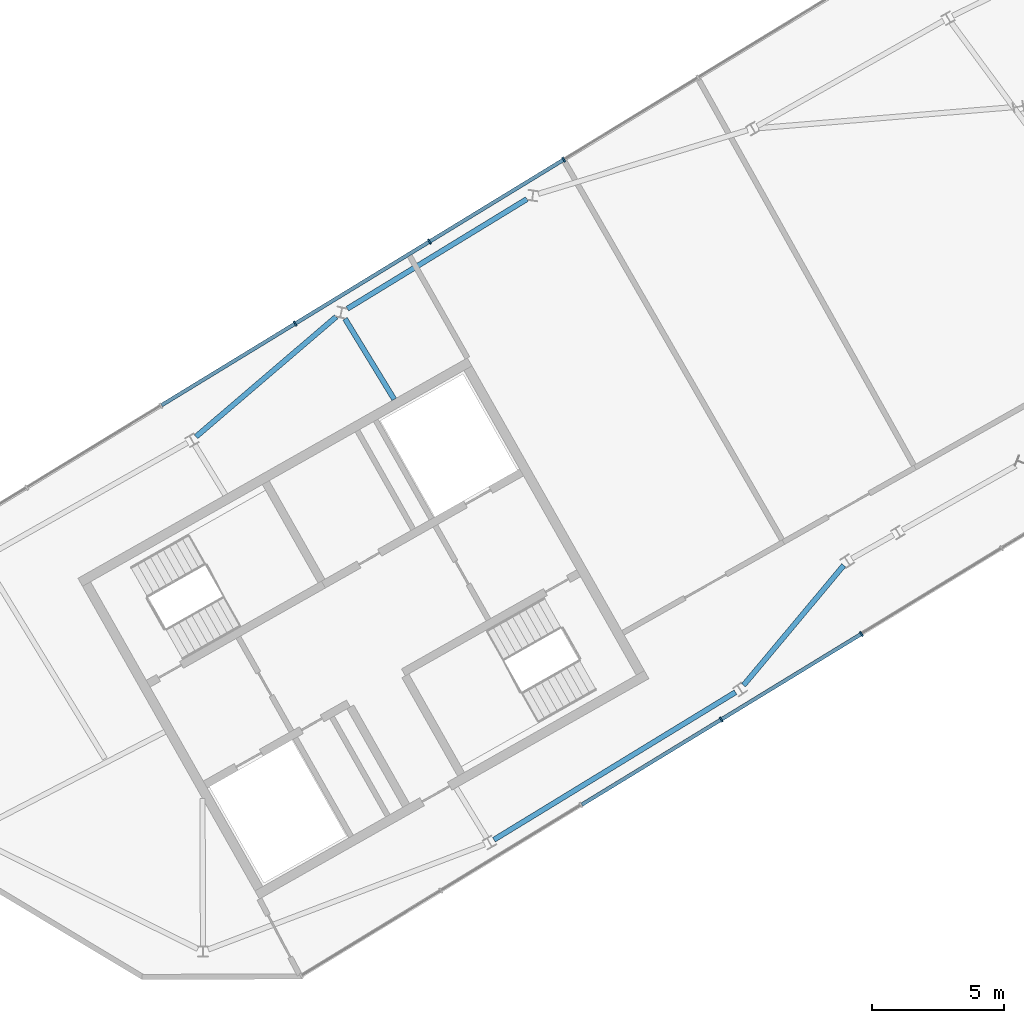
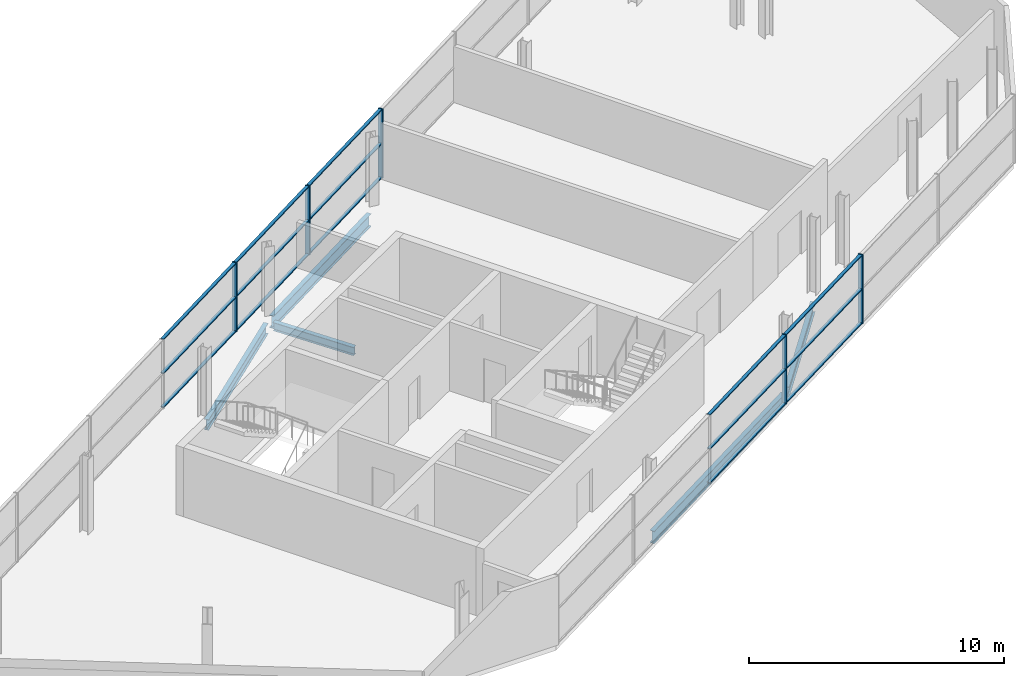
# One storey, part 4 of 8: 20 members, 5 beams, 2 elements without a shape of their own.
"""IFC4 building model written with IfcOpenShell, lengths in metres."""

from ifc_helpers import new_model, si_unit, direction, frame, origin, origin_2d, place, context, subcontext, project, spatial, rectangle, i_section, extrude, material, material_profile, profile_set, type_object, element, aggregate, save


model = new_model("IFC4")

# Units and contexts
model_context = context("Model", 3, precision=1e-05, world=origin(), true_north=direction((0.0, 1.0)))
body_context = subcontext(model_context, "Body", "Model", "MODEL_VIEW")
ifc_project = project(units=[si_unit("LENGTHUNIT", "METRE"), si_unit("AREAUNIT", "SQUARE_METRE"), si_unit("VOLUMEUNIT", "CUBIC_METRE"), si_unit("PLANEANGLEUNIT", "RADIAN"), si_unit("MASSUNIT", "GRAM", prefix="KILO")], contexts=[model_context])

# Site, building, storey
site_placement = place(None, origin())
site = spatial("IfcSite", under=ifc_project, at=site_placement, CompositionType="ELEMENT")
building_placement = place(site_placement, origin())
building = spatial("IfcBuilding", under=site, at=building_placement, Name="Binnacle Exchange Tower", CompositionType="ELEMENT")
storey_placement = place(building_placement, frame((0.0, 0.0, 350.5)))
storey = spatial("IfcBuildingStorey", under=building, at=storey_placement, Name="L80", CompositionType="ELEMENT", Elevation=350.5)

# Curtain wall, members
ifc_material_1 = material(Name="Bronze anodised aluminium frame", Category="aluminium")
curtain_wall_type = type_object("IfcCurtainWallType", Name="External wall - curtain wall crown tiers", PredefinedType="NOTDEFINED", material=ifc_material_1)
curtain_wall_1_placement = place(storey_placement, origin())
curtain_wall_1 = element("IfcCurtainWall", 1, at=curtain_wall_1_placement, inside=storey, type_object=curtain_wall_type, Name="External wall curtain wall CW5-C103 L80", PredefinedType="NOTDEFINED")
ifc_material_profile_1 = material_profile(ifc_material_1, rectangle(XDim=0.199951171875, YDim=0.06005859375, at=origin_2d()), Name="AL 60x200")
ifc_profile_set_1 = profile_set([ifc_material_profile_1], Name="Bronze anodised aluminium frame")
member_type_1 = type_object("IfcMemberType", Name="CW5 MULLION 60x200", PredefinedType="MULLION", material=ifc_profile_set_1)
member_1_placement = place(storey_placement, frame((-28.15478515625, 57.57666015625, 0.0), z_axis=(0.0, 0.0, 1.0), x_axis=(0.521156922554, -0.853460873194, 0.0)))
member_1 = element("IfcMember", 2, at=member_1_placement, type_object=member_type_1, Name="CW5-C103 mullion 5", PredefinedType="MULLION", context=body_context, shape_type="SweptSolid", body=[
    extrude(rectangle(XDim=0.199951171875, YDim=0.06005859375, at=origin_2d()), origin(), (0.0, 0.0, 1.0), 3.300048828125),
])
member_2_placement = place(storey_placement, frame((-33.25634765625, 54.46142578125, 0.0), z_axis=(0.0, 0.0, 1.0), x_axis=(0.521156922554, -0.853460873194, 0.0)))
member_2 = element("IfcMember", 3, at=member_2_placement, type_object=member_type_1, Name="CW5-C103 mullion 6", PredefinedType="MULLION", context=body_context, shape_type="SweptSolid", body=[
    extrude(rectangle(XDim=0.199951171875, YDim=0.06005859375, at=origin_2d()), origin(), (0.0, 0.0, 1.0), 3.300048828125),
])
member_3_placement = place(storey_placement, frame((-38.35791015625, 51.34619140625, 0.0), z_axis=(0.0, 0.0, 1.0), x_axis=(0.521156922554, -0.853460873194, 0.0)))
member_3 = element("IfcMember", 4, at=member_3_placement, type_object=member_type_1, Name="CW5-C103 mullion 7", PredefinedType="MULLION", context=body_context, shape_type="SweptSolid", body=[
    extrude(rectangle(XDim=0.199951171875, YDim=0.06005859375, at=origin_2d()), origin(), (0.0, 0.0, 1.0), 3.300048828125),
])

curtain_wall_2_placement = place(storey_placement, origin())
curtain_wall_2 = element("IfcCurtainWall", 5, at=curtain_wall_2_placement, inside=storey, type_object=curtain_wall_type, Name="External wall curtain wall CW5-C107 L80", PredefinedType="NOTDEFINED")
member_4_placement = place(storey_placement, frame((-22.1708984375, 36.3076171875, 0.0), z_axis=(0.0, 0.0, 1.0), x_axis=(-0.521156922554, 0.853460873194, 0.0)))
member_4 = element("IfcMember", 6, at=member_4_placement, type_object=member_type_1, Name="CW5-C107 mullion 4", PredefinedType="MULLION", context=body_context, shape_type="SweptSolid", body=[
    extrude(rectangle(XDim=0.199951171875, YDim=0.06005859375, at=origin_2d()), origin(), (0.0, 0.0, 1.0), 3.300048828125),
])
member_5_placement = place(storey_placement, frame((-16.845947265625, 39.559326171875, 0.0), z_axis=(0.0, 0.0, 1.0), x_axis=(-0.521156922554, 0.853460873194, 0.0)))
member_5 = element("IfcMember", 7, at=member_5_placement, type_object=member_type_1, Name="CW5-C107 mullion 5", PredefinedType="MULLION", context=body_context, shape_type="SweptSolid", body=[
    extrude(rectangle(XDim=0.199951171875, YDim=0.06005859375, at=origin_2d()), origin(), (0.0, 0.0, 1.0), 3.300048828125),
])

# Member
ifc_material_profile_2 = material_profile(ifc_material_1, rectangle(XDim=0.139892578125, YDim=0.050048828125, at=origin_2d()), Name="AL 140x50")
ifc_profile_set_2 = profile_set([ifc_material_profile_2], Name="Bronze anodised aluminium frame")
member_type_2 = type_object("IfcMemberType", Name="CW5 TRANSOM 50x140", PredefinedType="USERDEFINED", material=ifc_profile_set_2)
member_6_placement = place(storey_placement, frame((-28.180419921875, 57.56103515625, 0.02490234375), z_axis=(-0.853455161213, -0.521166276537, 0.0), x_axis=(0.521166276537, -0.853455161213, 0.0)))
member_6 = element("IfcMember", 8, at=member_6_placement, type_object=member_type_2, Name="CW5-C103 transom 5.1", ObjectType="TRANSOM", PredefinedType="USERDEFINED", context=body_context, shape_type="SweptSolid", body=[
    extrude(rectangle(XDim=0.139892578125, YDim=0.050048828125, at=origin_2d()), origin(), (0.0, 0.0, 1.0), 5.91748046875),
])

member_7_placement = place(storey_placement, frame((-28.180419921875, 57.56103515625, 1.64990234375), z_axis=(-0.853455161213, -0.521166276537, 0.0), x_axis=(0.521166276537, -0.853455161213, 0.0)))
member_7 = element("IfcMember", 9, at=member_7_placement, type_object=member_type_2, Name="CW5-C103 transom 5.2", ObjectType="TRANSOM", PredefinedType="USERDEFINED", context=body_context, shape_type="SweptSolid", body=[
    extrude(rectangle(XDim=0.139892578125, YDim=0.050048828125, at=origin_2d()), origin(), (0.0, 0.0, 1.0), 5.91748046875),
])

member_8_placement = place(storey_placement, frame((-28.180419921875, 57.56103515625, 3.27490234375), z_axis=(-0.853455161213, -0.521166276537, 0.0), x_axis=(0.521166276537, -0.853455161213, 0.0)))
member_8 = element("IfcMember", 10, at=member_8_placement, type_object=member_type_2, Name="CW5-C103 transom 5.3", ObjectType="TRANSOM", PredefinedType="USERDEFINED", context=body_context, shape_type="SweptSolid", body=[
    extrude(rectangle(XDim=0.139892578125, YDim=0.050048828125, at=origin_2d()), origin(), (0.0, 0.0, 1.0), 5.91748046875),
])

member_9_placement = place(storey_placement, frame((-33.281982421875, 54.44580078125, 0.02490234375), z_axis=(-0.853455161213, -0.521166276537, 0.0), x_axis=(0.521166276537, -0.853455161213, 0.0)))
member_9 = element("IfcMember", 11, at=member_9_placement, type_object=member_type_2, Name="CW5-C103 transom 6.1", ObjectType="TRANSOM", PredefinedType="USERDEFINED", context=body_context, shape_type="SweptSolid", body=[
    extrude(rectangle(XDim=0.139892578125, YDim=0.050048828125, at=origin_2d()), origin(), (0.0, 0.0, 1.0), 5.91748046875),
])

member_10_placement = place(storey_placement, frame((-33.281982421875, 54.44580078125, 1.64990234375), z_axis=(-0.853455161213, -0.521166276537, 0.0), x_axis=(0.521166276537, -0.853455161213, 0.0)))
member_10 = element("IfcMember", 12, at=member_10_placement, type_object=member_type_2, Name="CW5-C103 transom 6.2", ObjectType="TRANSOM", PredefinedType="USERDEFINED", context=body_context, shape_type="SweptSolid", body=[
    extrude(rectangle(XDim=0.139892578125, YDim=0.050048828125, at=origin_2d()), origin(), (0.0, 0.0, 1.0), 5.91748046875),
])

member_11_placement = place(storey_placement, frame((-33.281982421875, 54.44580078125, 3.27490234375), z_axis=(-0.853455161213, -0.521166276537, 0.0), x_axis=(0.521166276537, -0.853455161213, 0.0)))
member_11 = element("IfcMember", 13, at=member_11_placement, type_object=member_type_2, Name="CW5-C103 transom 6.3", ObjectType="TRANSOM", PredefinedType="USERDEFINED", context=body_context, shape_type="SweptSolid", body=[
    extrude(rectangle(XDim=0.139892578125, YDim=0.050048828125, at=origin_2d()), origin(), (0.0, 0.0, 1.0), 5.91748046875),
])

member_12_placement = place(storey_placement, frame((-38.383544921875, 51.33056640625, 0.02490234375), z_axis=(-0.853455161213, -0.521166276537, 0.0), x_axis=(0.521166276537, -0.853455161213, 0.0)))
member_12 = element("IfcMember", 14, at=member_12_placement, type_object=member_type_2, Name="CW5-C103 transom 7.1", ObjectType="TRANSOM", PredefinedType="USERDEFINED", context=body_context, shape_type="SweptSolid", body=[
    extrude(rectangle(XDim=0.139892578125, YDim=0.050048828125, at=origin_2d()), origin(), (0.0, 0.0, 1.0), 5.91748046875),
])

member_13_placement = place(storey_placement, frame((-38.383544921875, 51.33056640625, 1.64990234375), z_axis=(-0.853455161213, -0.521166276537, 0.0), x_axis=(0.521166276537, -0.853455161213, 0.0)))
member_13 = element("IfcMember", 15, at=member_13_placement, type_object=member_type_2, Name="CW5-C103 transom 7.2", ObjectType="TRANSOM", PredefinedType="USERDEFINED", context=body_context, shape_type="SweptSolid", body=[
    extrude(rectangle(XDim=0.139892578125, YDim=0.050048828125, at=origin_2d()), origin(), (0.0, 0.0, 1.0), 5.91748046875),
])

member_14_placement = place(storey_placement, frame((-38.383544921875, 51.33056640625, 3.27490234375), z_axis=(-0.853455161213, -0.521166276537, 0.0), x_axis=(0.521166276537, -0.853455161213, 0.0)))
member_14 = element("IfcMember", 16, at=member_14_placement, type_object=member_type_2, Name="CW5-C103 transom 7.3", ObjectType="TRANSOM", PredefinedType="USERDEFINED", context=body_context, shape_type="SweptSolid", body=[
    extrude(rectangle(XDim=0.139892578125, YDim=0.050048828125, at=origin_2d()), origin(), (0.0, 0.0, 1.0), 5.91748046875),
])

aggregate(curtain_wall_1, [member_1, member_2, member_3, member_6, member_7, member_8, member_9, member_10, member_11, member_12, member_13, member_14])

member_15_placement = place(storey_placement, frame((-27.47021484375, 33.07177734375, 0.02490234375), z_axis=(0.853479052535, 0.5211271504, 0.0), x_axis=(-0.5211271504, 0.853479052535, 0.0)))
member_15 = element("IfcMember", 17, at=member_15_placement, type_object=member_type_2, Name="CW5-C107 transom 3.1", ObjectType="TRANSOM", PredefinedType="USERDEFINED", context=body_context, shape_type="SweptSolid", body=[
    extrude(rectangle(XDim=0.139892578125, YDim=0.050048828125, at=origin_2d()), origin(), (0.0, 0.0, 1.0), 6.179443359375),
])

member_16_placement = place(storey_placement, frame((-27.47021484375, 33.07177734375, 1.64990234375), z_axis=(0.853479052535, 0.5211271504, 0.0), x_axis=(-0.5211271504, 0.853479052535, 0.0)))
member_16 = element("IfcMember", 18, at=member_16_placement, type_object=member_type_2, Name="CW5-C107 transom 3.2", ObjectType="TRANSOM", PredefinedType="USERDEFINED", context=body_context, shape_type="SweptSolid", body=[
    extrude(rectangle(XDim=0.139892578125, YDim=0.050048828125, at=origin_2d()), origin(), (0.0, 0.0, 1.0), 6.179443359375),
])

member_17_placement = place(storey_placement, frame((-27.47021484375, 33.07177734375, 3.27490234375), z_axis=(0.853479052535, 0.5211271504, 0.0), x_axis=(-0.5211271504, 0.853479052535, 0.0)))
member_17 = element("IfcMember", 19, at=member_17_placement, type_object=member_type_2, Name="CW5-C107 transom 3.3", ObjectType="TRANSOM", PredefinedType="USERDEFINED", context=body_context, shape_type="SweptSolid", body=[
    extrude(rectangle(XDim=0.139892578125, YDim=0.050048828125, at=origin_2d()), origin(), (0.0, 0.0, 1.0), 6.179443359375),
])

member_18_placement = place(storey_placement, frame((-22.145263671875, 36.3232421875, 0.02490234375), z_axis=(0.853450748659, 0.52117350241, 0.0), x_axis=(-0.52117350241, 0.853450748659, 0.0)))
member_18 = element("IfcMember", 20, at=member_18_placement, type_object=member_type_2, Name="CW5-C107 transom 4.1", ObjectType="TRANSOM", PredefinedType="USERDEFINED", context=body_context, shape_type="SweptSolid", body=[
    extrude(rectangle(XDim=0.139892578125, YDim=0.050048828125, at=origin_2d()), origin(), (0.0, 0.0, 1.0), 6.17919921875),
])

member_19_placement = place(storey_placement, frame((-22.145263671875, 36.3232421875, 1.64990234375), z_axis=(0.853450748659, 0.52117350241, 0.0), x_axis=(-0.52117350241, 0.853450748659, 0.0)))
member_19 = element("IfcMember", 21, at=member_19_placement, type_object=member_type_2, Name="CW5-C107 transom 4.2", ObjectType="TRANSOM", PredefinedType="USERDEFINED", context=body_context, shape_type="SweptSolid", body=[
    extrude(rectangle(XDim=0.139892578125, YDim=0.050048828125, at=origin_2d()), origin(), (0.0, 0.0, 1.0), 6.17919921875),
])

member_20_placement = place(storey_placement, frame((-22.145263671875, 36.3232421875, 3.27490234375), z_axis=(0.853450748659, 0.52117350241, 0.0), x_axis=(-0.52117350241, 0.853450748659, 0.0)))
member_20 = element("IfcMember", 22, at=member_20_placement, type_object=member_type_2, Name="CW5-C107 transom 4.3", ObjectType="TRANSOM", PredefinedType="USERDEFINED", context=body_context, shape_type="SweptSolid", body=[
    extrude(rectangle(XDim=0.139892578125, YDim=0.050048828125, at=origin_2d()), origin(), (0.0, 0.0, 1.0), 6.17919921875),
])

aggregate(curtain_wall_2, [member_4, member_5, member_15, member_16, member_17, member_18, member_19, member_20])

# Beams
ifc_material_2 = material(Name="Steel S355 (SHN355)", Category="steel")
ifc_material_profile_3 = material_profile(ifc_material_2, i_section(OverallWidth=0.199951171875, OverallDepth=0.5, WebThickness=0.010009765625, FlangeThickness=0.01611328125, FilletRadius=0.02001953125, at=origin_2d()), Name="H 500x200x10x16")
ifc_profile_set_3 = profile_set([ifc_material_profile_3], Name="Steel S355 (SHN355)")
beam_type_1 = type_object("IfcBeamType", Name="Edge girder H 500x200x10x16 Steel S355 (SHN355)", PredefinedType="SPANDREL", material=ifc_profile_set_3)
beam_1_placement = place(storey_placement, frame((-21.32275390625, 37.6083984375, -0.550048828125), z_axis=(0.641223403452, 0.76735425122, 0.0), x_axis=(-0.76735425122, 0.641223403452, 0.0)))
element("IfcBeam", 23, at=beam_1_placement, inside=storey, type_object=beam_type_1, Name="S:BM:edge:L80:014", PredefinedType="SPANDREL", context=body_context, shape_type="SweptSolid", body=[
    extrude(i_section(OverallWidth=0.199951171875, OverallDepth=0.5, WebThickness=0.010009765625, FlangeThickness=0.01611328125, FilletRadius=0.02001953125, at=origin_2d()), origin(), (0.0, 0.0, 1.0), 5.9365234375),
])
ifc_material_profile_4 = material_profile(ifc_material_2, i_section(OverallWidth=0.200927734375, OverallDepth=0.506103515625, WebThickness=0.010986328125, FlangeThickness=0.01904296875, FilletRadius=0.02001953125, at=origin_2d()), Name="H 506x201x11x19")
ifc_profile_set_4 = profile_set([ifc_material_profile_4], Name="Steel S355 (SHN355)")
beam_type_2 = type_object("IfcBeamType", Name="Edge girder H 506x201x11x19 Steel S355 (SHN355)", PredefinedType="SPANDREL", material=ifc_profile_set_4)
beam_2_placement = place(storey_placement, frame((-36.799072265625, 51.60693359375, -0.552978515625), z_axis=(-0.759920116671, -0.650016473852, 0.0), x_axis=(0.650016473852, -0.759920116671, 0.0)))
element("IfcBeam", 24, at=beam_2_placement, inside=storey, type_object=beam_type_2, Name="S:BM:edge:L80:011", PredefinedType="SPANDREL", context=body_context, shape_type="SweptSolid", body=[
    extrude(i_section(OverallWidth=0.200927734375, OverallDepth=0.506103515625, WebThickness=0.010986328125, FlangeThickness=0.01904296875, FilletRadius=0.02001953125, at=origin_2d()), origin(), (0.0, 0.0, 1.0), 7.008544921875),
])
ifc_material_profile_5 = material_profile(ifc_material_2, i_section(OverallWidth=0.199951171875, OverallDepth=0.60009765625, WebThickness=0.010986328125, FlangeThickness=0.01708984375, FilletRadius=0.02197265625, at=origin_2d()), Name="H 600x200x11x17")
ifc_profile_set_5 = profile_set([ifc_material_profile_5], Name="Steel S355 (SHN355)")
beam_type_3 = type_object("IfcBeamType", Name="Edge girder H 600x200x11x17 Steel S355 (SHN355)", PredefinedType="SPANDREL", material=ifc_profile_set_5)
beam_3_placement = place(storey_placement, frame((-30.8046875, 31.739501953125, -0.60009765625), z_axis=(0.853436127046, 0.521197445362, 0.0), x_axis=(-0.521197445362, 0.853436127046, 0.0)))
element("IfcBeam", 25, at=beam_3_placement, inside=storey, type_object=beam_type_3, Name="S:BM:edge:L80:012", PredefinedType="SPANDREL", context=body_context, shape_type="SweptSolid", body=[
    extrude(i_section(OverallWidth=0.199951171875, OverallDepth=0.60009765625, WebThickness=0.010986328125, FlangeThickness=0.01708984375, FilletRadius=0.02197265625, at=origin_2d()), origin(), (0.0, 0.0, 1.0), 10.753662109375),
])
beam_4_placement = place(storey_placement, frame((-29.55419921875, 56.07763671875, -0.60009765625), z_axis=(-0.853457049808, -0.521163183785, 0.0), x_axis=(0.521163183785, -0.853457049808, 0.0)))
element("IfcBeam", 26, at=beam_4_placement, inside=storey, type_object=beam_type_3, Name="S:BM:edge:L80:013", PredefinedType="SPANDREL", context=body_context, shape_type="SweptSolid", body=[
    extrude(i_section(OverallWidth=0.199951171875, OverallDepth=0.60009765625, WebThickness=0.010986328125, FlangeThickness=0.01708984375, FilletRadius=0.02197265625, at=origin_2d()), origin(), (0.0, 0.0, 1.0), 7.988525390625),
])
ifc_material_profile_6 = material_profile(ifc_material_2, i_section(OverallWidth=0.199951171875, OverallDepth=0.39990234375, WebThickness=0.008056640625, FlangeThickness=0.012939453125, FilletRadius=0.01611328125, at=origin_2d()), Name="H 400x200x8x13")
ifc_profile_set_6 = profile_set([ifc_material_profile_6], Name="Steel S355 (SHN355)")
beam_type_4 = type_object("IfcBeamType", Name="Floor beam H 400x200x8x13 Steel S355 (SHN355)", PredefinedType="BEAM", material=ifc_profile_set_6)
beam_5_placement = place(storey_placement, frame((-36.464111328125, 51.533447265625, -0.5), z_axis=(0.521152800371, -0.853463390348, 0.0), x_axis=(0.853463390348, 0.521152800371, 0.0)))
element("IfcBeam", 27, at=beam_5_placement, inside=storey, type_object=beam_type_4, Name="S:BM:cross:L80:025", PredefinedType="BEAM", context=body_context, shape_type="SweptSolid", body=[
    extrude(i_section(OverallWidth=0.199951171875, OverallDepth=0.39990234375, WebThickness=0.008056640625, FlangeThickness=0.012939453125, FilletRadius=0.01611328125, at=origin_2d()), origin(), (0.0, 0.0, 1.0), 3.5888671875),
])

save(model, "model.ifc")
